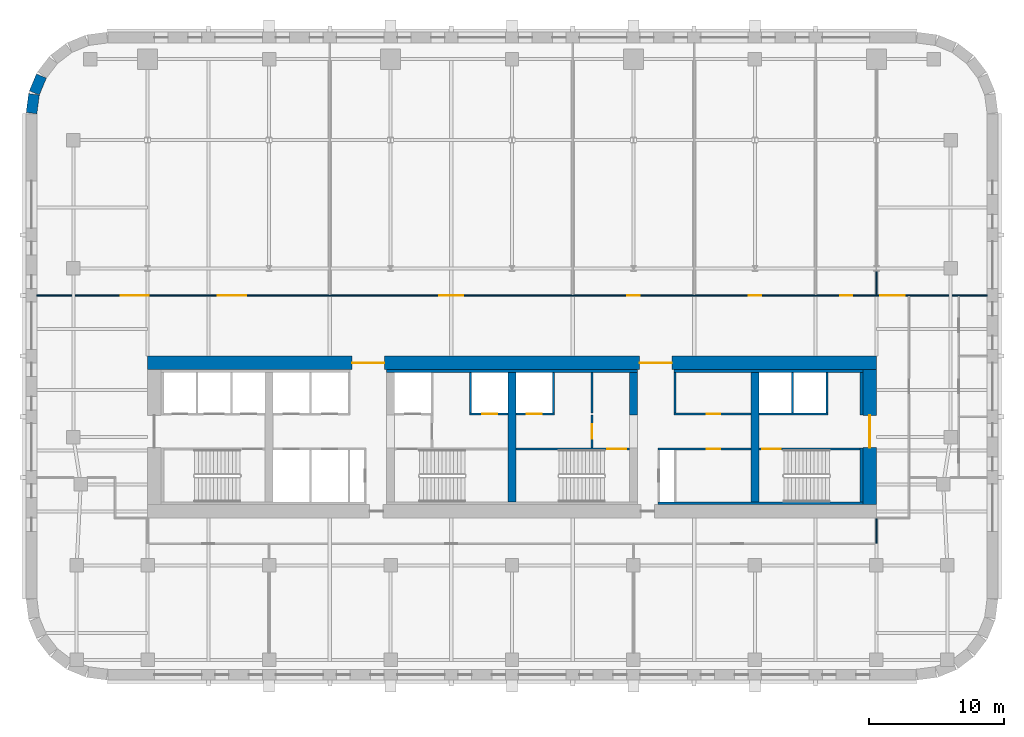
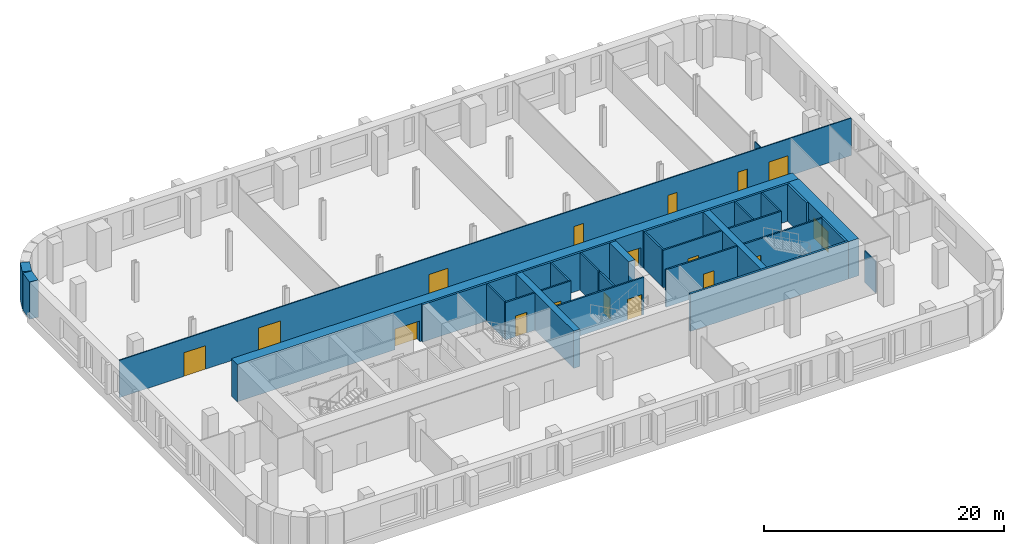
# One storey, part 5 of 9: 29 walls, 17 doors, 17 openings.
"""IFC4 building model written with IfcOpenShell, lengths in metres."""

from ifc_helpers import new_model, si_unit, direction, frame, frame_2d, origin, place, context, subcontext, project, spatial, rectangle, extrude, material, layer, layer_set, type_object, element, fill, save


model = new_model("IFC4")

# Units and contexts
model_context = context("Model", 3, precision=1e-05, world=origin(), true_north=direction((0.0, 1.0)))
body_context = subcontext(model_context, "Body", "Model", "MODEL_VIEW")
ifc_project = project(units=[si_unit("LENGTHUNIT", "METRE"), si_unit("AREAUNIT", "SQUARE_METRE"), si_unit("VOLUMEUNIT", "CUBIC_METRE"), si_unit("PLANEANGLEUNIT", "RADIAN"), si_unit("MASSUNIT", "GRAM", prefix="KILO")], contexts=[model_context])

# Site, building, storey
site_placement = place(None, origin())
site = spatial("IfcSite", under=ifc_project, at=site_placement, CompositionType="ELEMENT")
building_placement = place(site_placement, origin())
building = spatial("IfcBuilding", under=site, at=building_placement, Name="Zellij Exchange Tower", CompositionType="ELEMENT")
storey_placement = place(building_placement, frame((0.0, 0.0, 148.5)))
storey = spatial("IfcBuildingStorey", under=building, at=storey_placement, Name="L33", CompositionType="ELEMENT", Elevation=148.5)

# Walls
ifc_material_1 = material(Name="Concrete C70/85", Category="concrete")
ifc_layer_1 = layer(ifc_material_1, 0.60009765625)
ifc_layer_set_1 = layer_set([ifc_layer_1], Name="Concrete C70/85")
wall_type_1 = type_object("IfcWallType", Name="CORE-CW 600 C70/85", PredefinedType="SHEAR", material=ifc_layer_set_1)
wall_1_placement = place(storey_placement, frame((0.0, -12.800048828125, 0.0), z_axis=(0.0, 0.0, 1.0), x_axis=(0.0, 1.0, 0.0)))
element("IfcWall", 1, at=wall_1_placement, inside=storey, type_object=wall_type_1, Name="Core cross wall x 0 L33", PredefinedType="SHEAR", context=body_context, shape_type="SweptSolid", body=[
    extrude(rectangle(XDim=9.60009765625, YDim=0.60009765625, at=frame_2d((4.800048828125, 0.0))), origin(), (0.0, 0.0, 1.0), 3.800048828125),
])
wall_2_placement = place(storey_placement, frame((9.0, -6.375, 0.0), z_axis=(0.0, 0.0, 1.0), x_axis=(0.0, 1.0, 0.0)))
element("IfcWall", 2, at=wall_2_placement, inside=storey, type_object=wall_type_1, Name="Core cross wall pier x 9 b L33", PredefinedType="SHEAR", context=body_context, shape_type="SweptSolid", body=[
    extrude(rectangle(XDim=3.175048828125, YDim=0.60009765625, at=frame_2d((1.58740234375, 0.0))), origin(), (0.0, 0.0, 1.0), 3.800048828125),
])
wall_3_placement = place(storey_placement, frame((18.0, -12.800048828125, 0.0), z_axis=(0.0, 0.0, 1.0), x_axis=(0.0, 1.0, 0.0)))
element("IfcWall", 3, at=wall_3_placement, inside=storey, type_object=wall_type_1, Name="Core cross wall x 18 L33", PredefinedType="SHEAR", context=body_context, shape_type="SweptSolid", body=[
    extrude(rectangle(XDim=9.60009765625, YDim=0.60009765625, at=frame_2d((4.800048828125, 0.0))), origin(), (0.0, 0.0, 1.0), 3.800048828125),
])
ifc_material_2 = material(Name="Concrete C30/37", Category="concrete")
ifc_layer_2 = layer(ifc_material_2, 0.199951171875)
ifc_layer_set_2 = layer_set([ifc_layer_2], Name="Concrete C30/37")
wall_type_2 = type_object("IfcWallType", Name="CORE-LW 200 C30/37", PredefinedType="SHEAR", material=ifc_layer_set_2)
wall_4_placement = place(storey_placement, frame((-9.300048828125, -3.10009765625, 0.0), z_axis=(0.0, 0.0, 1.0), x_axis=(1.0, 0.0, 0.0)))
element("IfcWall", 4, at=wall_4_placement, inside=storey, type_object=wall_type_2, Name="Core wall lining front.1 L33", PredefinedType="SHEAR", context=body_context, shape_type="SweptSolid", body=[
    extrude(rectangle(XDim=18.60009765625, YDim=0.199951171875, at=frame_2d((9.300048828125, 0.0))), origin(), (0.0, 0.0, 1.0), 3.800048828125),
])
wall_5_placement = place(storey_placement, frame((12.0, -3.10009765625, 0.0), z_axis=(0.0, 0.0, 1.0), x_axis=(1.0, 0.0, 0.0)))
element("IfcWall", 5, at=wall_5_placement, inside=storey, type_object=wall_type_2, Name="Core wall lining front.2 L33", PredefinedType="SHEAR", context=body_context, shape_type="SweptSolid", body=[
    extrude(rectangle(XDim=14.0, YDim=0.199951171875, at=frame_2d((7.0, 0.0))), origin(), (0.0, 0.0, 1.0), 3.800048828125),
])
wall_6_placement = place(storey_placement, frame((10.800048828125, -12.89990234375, 0.0), z_axis=(0.0, 0.0, 1.0), x_axis=(1.0, 0.0, 0.0)))
element("IfcWall", 6, at=wall_6_placement, inside=storey, type_object=wall_type_2, Name="Core wall lining rear.2 L33", PredefinedType="SHEAR", context=body_context, shape_type="SweptSolid", body=[
    extrude(rectangle(XDim=15.199951171875, YDim=0.199951171875, at=frame_2d((7.60009765625, 0.0))), origin(), (0.0, 0.0, 1.0), 3.800048828125),
])
wall_7_placement = place(storey_placement, frame((25.89990234375, -12.800048828125, 0.0), z_axis=(0.0, 0.0, 1.0), x_axis=(0.0, 1.0, 0.0)))
element("IfcWall", 7, at=wall_7_placement, inside=storey, type_object=wall_type_2, Name="Core wall lining end e.0 L33", PredefinedType="SHEAR", context=body_context, shape_type="SweptSolid", body=[
    extrude(rectangle(XDim=4.0, YDim=0.199951171875, at=frame_2d((2.0, 0.0))), origin(), (0.0, 0.0, 1.0), 3.800048828125),
])
wall_8_placement = place(storey_placement, frame((25.89990234375, -6.375, 0.0), z_axis=(0.0, 0.0, 1.0), x_axis=(0.0, 1.0, 0.0)))
element("IfcWall", 8, at=wall_8_placement, inside=storey, type_object=wall_type_2, Name="Core wall lining end e.1 L33", PredefinedType="SHEAR", context=body_context, shape_type="SweptSolid", body=[
    extrude(rectangle(XDim=3.175048828125, YDim=0.199951171875, at=frame_2d((1.58740234375, 0.0))), origin(), (0.0, 0.0, 1.0), 3.800048828125),
])

# Wall, opening, door
ifc_material_3 = material(Name="Gypsum shaft wall system")
ifc_layer_3 = layer(ifc_material_3, 0.14990234375)
ifc_layer_set_3 = layer_set([ifc_layer_3], Name="Gypsum shaft wall system")
wall_type_3 = type_object("IfcWallType", Name="CORE-PW 150 Firefighting lobby wall", PredefinedType="PARTITIONING", material=ifc_layer_set_3)
wall_9_placement = place(storey_placement, frame((5.925048828125, -8.800048828125, 0.0), z_axis=(0.0, 0.0, 1.0), x_axis=(0.0, 1.0, 0.0)))
wall_9 = element("IfcWall", 9, at=wall_9_placement, inside=storey, type_object=wall_type_3, Name="Firefighting lobby wall L33", PredefinedType="PARTITIONING", context=body_context, shape_type="SweptSolid", body=[
    extrude(rectangle(XDim=2.425048828125, YDim=0.14990234375, at=frame_2d((1.21240234375, 0.0))), origin(), (0.0, 0.0, 1.0), 3.800048828125),
])
opening_1_placement = place(wall_9_placement, frame((0.662109375, 0.0, 0.0)))
opening_1 = element("IfcOpeningElement", 10, at=opening_1_placement, cuts=wall_9, Name="Opening CA-17.18", PredefinedType="OPENING", context=body_context, shape_type="SweptSolid", body=[
    extrude(rectangle(XDim=1.10009765625, YDim=2.10009765625, at=frame_2d((0.550048828125, 1.050048828125))), frame((0.0, 0.0869140625, 0.0), z_axis=(0.0, -1.0, 0.0), x_axis=(1.0, 0.0, 0.0)), (0.0, 0.0, 1.0), 0.173828125),
])
ifc_material_4 = material(Name="Hollow metal fire door")
door_type_1 = type_object("IfcDoorType", Name="CORE-D F Firefighting lobby door 1100x2100 1 HR", OperationType="NOTDEFINED", PredefinedType="DOOR", material=ifc_material_4)
door_1_placement = place(opening_1_placement, origin())
door_1 = element("IfcDoor", 11, at=door_1_placement, inside=storey, type_object=door_type_1, Name="Firefighting lobby door CA-17.18", OperationType="SINGLE_SWING_RIGHT", OverallHeight=2.10009765625, OverallWidth=1.10009765625, PredefinedType="DOOR", context=body_context, shape_type="SweptSolid", body=[
    extrude(rectangle(XDim=1.10009765625, YDim=2.10009765625, at=frame_2d((0.550048828125, 1.050048828125))), frame((0.0, 0.02490234375, 0.0), z_axis=(0.0, -1.0, 0.0), x_axis=(1.0, 0.0, 0.0)), (0.0, 0.0, 1.0), 0.050048828125),
])
fill(opening_1, door_1)

# Walls
ifc_material_5 = material(Name="Gypsum board partition")
ifc_layer_4 = layer(ifc_material_5, 0.14990234375)
ifc_layer_set_4 = layer_set([ifc_layer_4], Name="Gypsum board partition")
wall_type_4 = type_object("IfcWallType", Name="CORE-PW 150 Lift lobby wall", PredefinedType="PARTITIONING", material=ifc_layer_set_4)
for number, where, z_axis, x_axis, name in (
    (12, (5.925048828125, -6.22509765625, 0.0), (0.0, 0.0, 1.0), (0.0, 1.0, 0.0), "Lift lobby wall L33"),
    (13, (12.074951171875, -6.22509765625, 0.0), (0.0, 0.0, 1.0), (0.0, 1.0, 0.0), "Lift lobby wall L33"),
):
    element("IfcWall", number, at=place(storey_placement, frame(where, z_axis=z_axis, x_axis=x_axis)), inside=storey, type_object=wall_type_4, Name=name, PredefinedType="PARTITIONING", context=body_context, shape_type="SweptSolid", body=[
        extrude(rectangle(XDim=3.025146484375, YDim=0.14990234375, at=frame_2d((1.5126953125, 0.0))), origin(), (0.0, 0.0, 1.0), 3.800048828125),
    ])

# Wall, opening, door
wall_10_placement = place(storey_placement, frame((12.0, -6.300048828125, 0.0), z_axis=(0.0, 0.0, 1.0), x_axis=(1.0, 0.0, 0.0)))
wall_10 = element("IfcWall", 14, at=wall_10_placement, inside=storey, type_object=wall_type_4, Name="Lift lobby wall L33", PredefinedType="PARTITIONING", context=body_context, shape_type="SweptSolid", body=[
    extrude(rectangle(XDim=5.699951171875, YDim=0.14990234375, at=frame_2d((2.85009765625, 0.0))), origin(), (0.0, 0.0, 1.0), 3.800048828125),
])
opening_2_placement = place(wall_10_placement, frame((2.425048828125, 0.0, 0.0)))
opening_2 = element("IfcOpeningElement", 15, at=opening_2_placement, cuts=wall_10, Name="Opening CA-17.24", PredefinedType="OPENING", context=body_context, shape_type="SweptSolid", body=[
    extrude(rectangle(XDim=1.0, YDim=2.10009765625, at=frame_2d((0.5, 1.050048828125))), frame((0.0, 0.0869140625, 0.0), z_axis=(0.0, -1.0, 0.0), x_axis=(1.0, 0.0, 0.0)), (0.0, 0.0, 1.0), 0.173828125),
])
door_type_2 = type_object("IfcDoorType", Name="CORE-D CD Core room door 1000x2100 1 HR", OperationType="NOTDEFINED", PredefinedType="DOOR", material=ifc_material_4)
door_2_placement = place(opening_2_placement, origin())
door_2 = element("IfcDoor", 16, at=door_2_placement, inside=storey, type_object=door_type_2, Name="Core room door CA-17.24", OperationType="SINGLE_SWING_RIGHT", OverallHeight=2.10009765625, OverallWidth=1.0, PredefinedType="DOOR", context=body_context, shape_type="SweptSolid", body=[
    extrude(rectangle(XDim=1.0, YDim=2.10009765625, at=frame_2d((0.5, 1.050048828125))), frame((0.0, 0.02490234375, 0.0), z_axis=(0.0, -1.0, 0.0), x_axis=(1.0, 0.0, 0.0)), (0.0, 0.0, 1.0), 0.050048828125),
])
fill(opening_2, door_2)

wall_11_placement = place(storey_placement, frame((10.800048828125, -8.875, 0.0), z_axis=(0.0, 0.0, 1.0), x_axis=(1.0, 0.0, 0.0)))
wall_11 = element("IfcWall", 17, at=wall_11_placement, inside=storey, type_object=wall_type_4, Name="Lift lobby wall L33", PredefinedType="PARTITIONING", context=body_context, shape_type="SweptSolid", body=[
    extrude(rectangle(XDim=6.89990234375, YDim=0.14990234375, at=frame_2d((3.449951171875, 0.0))), origin(), (0.0, 0.0, 1.0), 3.800048828125),
])
opening_3_placement = place(wall_11_placement, frame((3.625, 0.0, 0.0)))
opening_3 = element("IfcOpeningElement", 18, at=opening_3_placement, cuts=wall_11, Name="Opening CA-17.23", PredefinedType="OPENING", context=body_context, shape_type="SweptSolid", body=[
    extrude(rectangle(XDim=1.0, YDim=2.10009765625, at=frame_2d((0.5, 1.050048828125))), frame((0.0, 0.0869140625, 0.0), z_axis=(0.0, -1.0, 0.0), x_axis=(1.0, 0.0, 0.0)), (0.0, 0.0, 1.0), 0.173828125),
])
door_3_placement = place(opening_3_placement, origin())
door_3 = element("IfcDoor", 19, at=door_3_placement, inside=storey, type_object=door_type_2, Name="Core room door CA-17.23", OperationType="SINGLE_SWING_LEFT", OverallHeight=2.10009765625, OverallWidth=1.0, PredefinedType="DOOR", context=body_context, shape_type="SweptSolid", body=[
    extrude(rectangle(XDim=1.0, YDim=2.10009765625, at=frame_2d((0.5, 1.050048828125))), frame((0.0, 0.02490234375, 0.0), z_axis=(0.0, -1.0, 0.0), x_axis=(1.0, 0.0, 0.0)), (0.0, 0.0, 1.0), 0.050048828125),
])
fill(opening_3, door_3)

# Walls
ifc_layer_5 = layer(ifc_material_3, 0.14990234375)
ifc_layer_set_5 = layer_set([ifc_layer_5], Name="Gypsum shaft wall system")
wall_type_5 = type_object("IfcWallType", Name="CORE-PW 150 Lift shaft wall", PredefinedType="PARTITIONING", material=ifc_layer_set_5)
for number, where, z_axis, x_axis, name in (
    (20, (-3.074951171875, -6.22509765625, 0.0), (0.0, 0.0, 1.0), (0.0, 1.0, 0.0), "Lift shaft wall L33"),
    (21, (3.074951171875, -6.22509765625, 0.0), (0.0, 0.0, 1.0), (0.0, 1.0, 0.0), "Lift shaft wall L33"),
    (22, (20.77490234375, -6.22509765625, 0.0), (0.0, 0.0, 1.0), (0.0, 1.0, 0.0), "Lift shaft wall L33"),
    (23, (23.324951171875, -6.22509765625, 0.0), (0.0, 0.0, 1.0), (0.0, 1.0, 0.0), "Lift shaft wall L33"),
):
    element("IfcWall", number, at=place(storey_placement, frame(where, z_axis=z_axis, x_axis=x_axis)), inside=storey, type_object=wall_type_5, Name=name, PredefinedType="PARTITIONING", context=body_context, shape_type="SweptSolid", body=[
        extrude(rectangle(XDim=3.025146484375, YDim=0.14990234375, at=frame_2d((1.5126953125, 0.0))), origin(), (0.0, 0.0, 1.0), 3.800048828125),
    ])

# Wall, opening, door
wall_12_placement = place(storey_placement, frame((-3.14990234375, -6.300048828125, 0.0), z_axis=(0.0, 0.0, 1.0), x_axis=(1.0, 0.0, 0.0)))
wall_12 = element("IfcWall", 24, at=wall_12_placement, inside=storey, type_object=wall_type_5, Name="Lift shaft wall L33", PredefinedType="PARTITIONING", context=body_context, shape_type="SweptSolid", body=[
    extrude(rectangle(XDim=2.849853515625, YDim=0.14990234375, at=frame_2d((1.4248046875, 0.0))), origin(), (0.0, 0.0, 1.0), 3.800048828125),
])
opening_4_placement = place(wall_12_placement, frame((0.949951171875, 0.0, 0.0)))
opening_4 = element("IfcOpeningElement", 25, at=opening_4_placement, cuts=wall_12, Name="Opening CA-17.16", PredefinedType="OPENING", context=body_context, shape_type="SweptSolid", body=[
    extrude(rectangle(XDim=1.10009765625, YDim=2.10009765625, at=frame_2d((0.550048828125, 1.050048828125))), frame((0.0, 0.0869140625, 0.0), z_axis=(0.0, -1.0, 0.0), x_axis=(1.0, 0.0, 0.0)), (0.0, 0.0, 1.0), 0.173828125),
])
door_type_3 = type_object("IfcDoorType", Name="CORE-D LD Lift landing door 1100x2100 1.5 HR", OperationType="NOTDEFINED", PredefinedType="DOOR", material=ifc_material_4)
door_4_placement = place(opening_4_placement, origin())
door_4 = element("IfcDoor", 26, at=door_4_placement, inside=storey, type_object=door_type_3, Name="Lift landing door CA-17.16", OperationType="SLIDING_TO_RIGHT", OverallHeight=2.10009765625, OverallWidth=1.10009765625, PredefinedType="DOOR", context=body_context, shape_type="SweptSolid", body=[
    extrude(rectangle(XDim=1.10009765625, YDim=2.10009765625, at=frame_2d((0.550048828125, 1.050048828125))), frame((0.0, 0.02490234375, 0.0), z_axis=(0.0, -1.0, 0.0), x_axis=(1.0, 0.0, 0.0)), (0.0, 0.0, 1.0), 0.050048828125),
])
fill(opening_4, door_4)

wall_13_placement = place(storey_placement, frame((0.300048828125, -6.300048828125, 0.0), z_axis=(0.0, 0.0, 1.0), x_axis=(1.0, 0.0, 0.0)))
wall_13 = element("IfcWall", 27, at=wall_13_placement, inside=storey, type_object=wall_type_5, Name="Lift shaft wall L33", PredefinedType="PARTITIONING", context=body_context, shape_type="SweptSolid", body=[
    extrude(rectangle(XDim=2.849853515625, YDim=0.14990234375, at=frame_2d((1.4248046875, 0.0))), origin(), (0.0, 0.0, 1.0), 3.800048828125),
])
opening_5_placement = place(wall_13_placement, frame((0.800048828125, 0.0, 0.0)))
opening_5 = element("IfcOpeningElement", 28, at=opening_5_placement, cuts=wall_13, Name="Opening CA-17.17", PredefinedType="OPENING", context=body_context, shape_type="SweptSolid", body=[
    extrude(rectangle(XDim=1.10009765625, YDim=2.10009765625, at=frame_2d((0.550048828125, 1.050048828125))), frame((0.0, 0.0869140625, 0.0), z_axis=(0.0, -1.0, 0.0), x_axis=(1.0, 0.0, 0.0)), (0.0, 0.0, 1.0), 0.173828125),
])
door_5_placement = place(opening_5_placement, origin())
door_5 = element("IfcDoor", 29, at=door_5_placement, inside=storey, type_object=door_type_3, Name="Lift landing door CA-17.17", OperationType="SLIDING_TO_LEFT", OverallHeight=2.10009765625, OverallWidth=1.10009765625, PredefinedType="DOOR", context=body_context, shape_type="SweptSolid", body=[
    extrude(rectangle(XDim=1.10009765625, YDim=2.10009765625, at=frame_2d((0.550048828125, 1.050048828125))), frame((0.0, 0.02490234375, 0.0), z_axis=(0.0, -1.0, 0.0), x_axis=(1.0, 0.0, 0.0)), (0.0, 0.0, 1.0), 0.050048828125),
])
fill(opening_5, door_5)

# Wall
wall_14_placement = place(storey_placement, frame((18.300048828125, -6.300048828125, 0.0), z_axis=(0.0, 0.0, 1.0), x_axis=(1.0, 0.0, 0.0)))
element("IfcWall", 30, at=wall_14_placement, inside=storey, type_object=wall_type_5, Name="Lift shaft wall L33", PredefinedType="PARTITIONING", context=body_context, shape_type="SweptSolid", body=[
    extrude(rectangle(XDim=5.099853515625, YDim=0.14990234375, at=frame_2d((2.5498046875, 0.0))), origin(), (0.0, 0.0, 1.0), 3.800048828125),
])

# Wall, openings, doors
ifc_layer_6 = layer(ifc_material_1, 1.0)
ifc_layer_set_6 = layer_set([ifc_layer_6], Name="Concrete C70/85")
wall_type_6 = type_object("IfcWallType", Name="CORE-SW 1000 C70/85", PredefinedType="SHEAR", material=ifc_layer_set_6)
wall_15_placement = place(storey_placement, frame((-27.0, -2.5, 0.0), z_axis=(0.0, 0.0, 1.0), x_axis=(1.0, 0.0, 0.0)))
wall_15 = element("IfcWall", 31, at=wall_15_placement, inside=storey, type_object=wall_type_6, Name="Core shear wall front L33", PredefinedType="SHEAR", context=body_context, shape_type="SweptSolid", body=[
    extrude(rectangle(XDim=54.0, YDim=1.0, at=frame_2d((27.0, 0.0))), origin(), (0.0, 0.0, 1.0), 3.800048828125),
])
opening_6_placement = place(wall_15_placement, frame((15.14990234375, 0.0, 0.0)))
opening_6 = element("IfcOpeningElement", 32, at=opening_6_placement, cuts=wall_15, Name="Opening CA-17.11", PredefinedType="OPENING", context=body_context, shape_type="SweptSolid", body=[
    extrude(rectangle(XDim=2.39990234375, YDim=2.10009765625, at=frame_2d((1.199951171875, 1.050048828125))), frame((0.0, 0.511962890625, 0.0), z_axis=(0.0, -1.0, 0.0), x_axis=(1.0, 0.0, 0.0)), (0.0, 0.0, 1.0), 1.02392578125),
])
opening_7_placement = place(wall_15_placement, frame((36.449951171875, 0.0, 0.0)))
opening_7 = element("IfcOpeningElement", 33, at=opening_7_placement, cuts=wall_15, Name="Opening CA-17.21", PredefinedType="OPENING", context=body_context, shape_type="SweptSolid", body=[
    extrude(rectangle(XDim=2.39990234375, YDim=2.10009765625, at=frame_2d((1.199951171875, 1.050048828125))), frame((0.0, 0.511962890625, 0.0), z_axis=(0.0, -1.0, 0.0), x_axis=(1.0, 0.0, 0.0)), (0.0, 0.0, 1.0), 1.02392578125),
])
door_type_4 = type_object("IfcDoorType", Name="CORE-D CE Core entrance door 2400x2100 20 MIN", OperationType="NOTDEFINED", PredefinedType="DOOR", material=ifc_material_4)
door_6_placement = place(opening_6_placement, origin())
door_6 = element("IfcDoor", 34, at=door_6_placement, inside=storey, type_object=door_type_4, Name="Core entrance door CA-17.11", OperationType="DOUBLE_DOOR_SINGLE_SWING", OverallHeight=2.10009765625, OverallWidth=2.39990234375, PredefinedType="DOOR", context=body_context, shape_type="SweptSolid", body=[
    extrude(rectangle(XDim=2.39990234375, YDim=2.10009765625, at=frame_2d((1.199951171875, 1.050048828125))), frame((0.0, 0.02490234375, 0.0), z_axis=(0.0, -1.0, 0.0), x_axis=(1.0, 0.0, 0.0)), (0.0, 0.0, 1.0), 0.050048828125),
])
fill(opening_6, door_6)
door_7_placement = place(opening_7_placement, origin())
door_7 = element("IfcDoor", 35, at=door_7_placement, inside=storey, type_object=door_type_4, Name="Core entrance door CA-17.21", OperationType="DOUBLE_DOOR_SINGLE_SWING", OverallHeight=2.10009765625, OverallWidth=2.39990234375, PredefinedType="DOOR", context=body_context, shape_type="SweptSolid", body=[
    extrude(rectangle(XDim=2.39990234375, YDim=2.10009765625, at=frame_2d((1.199951171875, 1.050048828125))), frame((0.0, 0.02490234375, 0.0), z_axis=(0.0, -1.0, 0.0), x_axis=(1.0, 0.0, 0.0)), (0.0, 0.0, 1.0), 0.050048828125),
])
fill(opening_7, door_7)

# Wall, opening, door
wall_16_placement = place(storey_placement, frame((26.5, -13.0, 0.0), z_axis=(0.0, 0.0, 1.0), x_axis=(0.0, 1.0, 0.0)))
wall_16 = element("IfcWall", 36, at=wall_16_placement, inside=storey, type_object=wall_type_6, Name="Core shear wall end e L33", PredefinedType="SHEAR", context=body_context, shape_type="SweptSolid", body=[
    extrude(rectangle(XDim=10.0, YDim=1.0, at=frame_2d((5.0, 0.0))), origin(), (0.0, 0.0, 1.0), 3.800048828125),
])
opening_8_placement = place(wall_16_placement, frame((4.2119140625, 0.0, 0.0)))
opening_8 = element("IfcOpeningElement", 37, at=opening_8_placement, cuts=wall_16, Name="Opening CA-17.26", PredefinedType="OPENING", context=body_context, shape_type="SweptSolid", body=[
    extrude(rectangle(XDim=2.39990234375, YDim=2.10009765625, at=frame_2d((1.199951171875, 1.050048828125))), frame((0.0, 0.511962890625, 0.0), z_axis=(0.0, -1.0, 0.0), x_axis=(1.0, 0.0, 0.0)), (0.0, 0.0, 1.0), 1.02392578125),
])
door_8_placement = place(opening_8_placement, origin())
door_8 = element("IfcDoor", 38, at=door_8_placement, inside=storey, type_object=door_type_4, Name="Core entrance door CA-17.26", OperationType="DOUBLE_DOOR_SINGLE_SWING", OverallHeight=2.10009765625, OverallWidth=2.39990234375, PredefinedType="DOOR", context=body_context, shape_type="SweptSolid", body=[
    extrude(rectangle(XDim=2.39990234375, YDim=2.10009765625, at=frame_2d((1.199951171875, 1.050048828125))), frame((0.0, 0.02490234375, 0.0), z_axis=(0.0, -1.0, 0.0), x_axis=(1.0, 0.0, 0.0)), (0.0, 0.0, 1.0), 0.050048828125),
])
fill(opening_8, door_8)

ifc_layer_7 = layer(ifc_material_1, 0.14990234375)
ifc_layer_set_7 = layer_set([ifc_layer_7], Name="Concrete C70/85")
wall_type_7 = type_object("IfcWallType", Name="CORE-SWS 150 C70/85", PredefinedType="SHEAR", material=ifc_layer_set_7)
wall_17_placement = place(storey_placement, frame((0.300048828125, -8.875, 0.0), z_axis=(0.0, 0.0, 1.0), x_axis=(1.0, 0.0, 0.0)))
wall_17 = element("IfcWall", 39, at=wall_17_placement, inside=storey, type_object=wall_type_7, Name="Stair enclosure wall L33", PredefinedType="SHEAR", context=body_context, shape_type="SweptSolid", body=[
    extrude(rectangle(XDim=8.39990234375, YDim=0.14990234375, at=frame_2d((4.199951171875, 0.0))), origin(), (0.0, 0.0, 1.0), 3.800048828125),
])
opening_9_placement = place(wall_17_placement, frame((6.77490234375, 0.0, 0.0)))
opening_9 = element("IfcOpeningElement", 40, at=opening_9_placement, cuts=wall_17, Name="Opening CA-17.19", PredefinedType="OPENING", context=body_context, shape_type="SweptSolid", body=[
    extrude(rectangle(XDim=1.39990234375, YDim=2.10009765625, at=frame_2d((0.699951171875, 1.050048828125))), frame((0.0, 0.0869140625, 0.0), z_axis=(0.0, -1.0, 0.0), x_axis=(1.0, 0.0, 0.0)), (0.0, 0.0, 1.0), 0.173828125),
])
door_type_5 = type_object("IfcDoorType", Name="CORE-D SD Stair door 1400x2100 1.5 HR", OperationType="NOTDEFINED", PredefinedType="DOOR", material=ifc_material_4)
door_9_placement = place(opening_9_placement, origin())
door_9 = element("IfcDoor", 41, at=door_9_placement, inside=storey, type_object=door_type_5, Name="Stair door CA-17.19", OperationType="DOUBLE_DOOR_SINGLE_SWING", OverallHeight=2.10009765625, OverallWidth=1.39990234375, PredefinedType="DOOR", context=body_context, shape_type="SweptSolid", body=[
    extrude(rectangle(XDim=1.39990234375, YDim=2.10009765625, at=frame_2d((0.699951171875, 1.050048828125))), frame((0.0, 0.02490234375, 0.0), z_axis=(0.0, -1.0, 0.0), x_axis=(1.0, 0.0, 0.0)), (0.0, 0.0, 1.0), 0.050048828125),
])
fill(opening_9, door_9)

wall_18_placement = place(storey_placement, frame((18.300048828125, -8.875, 0.0), z_axis=(0.0, 0.0, 1.0), x_axis=(1.0, 0.0, 0.0)))
wall_18 = element("IfcWall", 42, at=wall_18_placement, inside=storey, type_object=wall_type_7, Name="Stair enclosure wall L33", PredefinedType="SHEAR", context=body_context, shape_type="SweptSolid", body=[
    extrude(rectangle(XDim=7.5, YDim=0.14990234375, at=frame_2d((3.75, 0.0))), origin(), (0.0, 0.0, 1.0), 3.800048828125),
])
opening_10_placement = place(wall_18_placement, frame((0.22509765625, 0.0, 0.0)))
opening_10 = element("IfcOpeningElement", 43, at=opening_10_placement, cuts=wall_18, Name="Opening CA-17.25", PredefinedType="OPENING", context=body_context, shape_type="SweptSolid", body=[
    extrude(rectangle(XDim=1.39990234375, YDim=2.10009765625, at=frame_2d((0.699951171875, 1.050048828125))), frame((0.0, 0.0869140625, 0.0), z_axis=(0.0, -1.0, 0.0), x_axis=(1.0, 0.0, 0.0)), (0.0, 0.0, 1.0), 0.173828125),
])
door_10_placement = place(opening_10_placement, origin())
door_10 = element("IfcDoor", 44, at=door_10_placement, inside=storey, type_object=door_type_5, Name="Stair door CA-17.25", OperationType="DOUBLE_DOOR_SINGLE_SWING", OverallHeight=2.10009765625, OverallWidth=1.39990234375, PredefinedType="DOOR", context=body_context, shape_type="SweptSolid", body=[
    extrude(rectangle(XDim=1.39990234375, YDim=2.10009765625, at=frame_2d((0.699951171875, 1.050048828125))), frame((0.0, 0.02490234375, 0.0), z_axis=(0.0, -1.0, 0.0), x_axis=(1.0, 0.0, 0.0)), (0.0, 0.0, 1.0), 0.050048828125),
])
fill(opening_10, door_10)

# Walls
ifc_material_6 = material(Name="Precast concrete C40/50", Category="concrete")
ifc_layer_8 = layer(ifc_material_6, 0.800048828125)
ifc_layer_set_8 = layer_set([ifc_layer_8], Name="Precast concrete C40/50")
wall_type_8 = type_object("IfcWallType", Name="ENV-EW1 Precast stone-piered wall 800", PredefinedType="SOLIDWALL", material=ifc_layer_set_8)
wall_19_placement = place(storey_placement, frame((-34.866943359375, 18.74951171875, 0.0), z_axis=(0.0, 0.0, 1.0), x_axis=(-0.38276009378, -0.923847774587, 0.0)))
element("IfcWall", 45, at=wall_19_placement, inside=storey, type_object=wall_type_8, Name="fac.L33.19", PredefinedType="SOLIDWALL", context=body_context, shape_type="SweptSolid", body=[
    extrude(rectangle(XDim=1.35546875, YDim=0.800048828125, at=frame_2d((0.677734375, 0.0))), origin(), (0.0, 0.0, 1.0), 3.800048828125),
])
wall_20_placement = place(storey_placement, frame((-35.412841796875, 17.396240234375, 0.0), z_axis=(0.0, 0.0, 1.0), x_axis=(-0.130517283865, -0.99144603414, 0.0)))
element("IfcWall", 46, at=wall_20_placement, inside=storey, type_object=wall_type_8, Name="fac.L33.20", PredefinedType="SOLIDWALL", context=body_context, shape_type="SweptSolid", body=[
    extrude(rectangle(XDim=1.408447265625, YDim=0.800048828125, at=frame_2d((0.7041015625, 0.0))), origin(), (0.0, 0.0, 1.0), 3.800048828125),
])
ifc_material_7 = material(Name="Gypsum board partition on steel studs", Category="steel")
ifc_layer_9 = layer(ifc_material_7, 0.10009765625)
ifc_layer_set_9 = layer_set([ifc_layer_9], Name="Gypsum board partition on steel studs")
wall_type_9 = type_object("IfcWallType", Name="FIT-PARTITION-100", PredefinedType="PARTITIONING", material=ifc_layer_set_9)
wall_21_placement = place(storey_placement, frame((27.0, -15.85009765625, 0.0), z_axis=(0.0, 0.0, 1.0), x_axis=(0.0, 1.0, 0.0)))
element("IfcWall", 47, at=wall_21_placement, inside=storey, type_object=wall_type_9, Name="FIT-PARTITION-100 007", PredefinedType="PARTITIONING", context=body_context, shape_type="SweptSolid", body=[
    extrude(rectangle(XDim=1.800048828125, YDim=0.10009765625, at=frame_2d((0.89990234375, 0.0))), origin(), (0.0, 0.0, 1.0), 3.18798828125),
])

# Wall, openings, doors
wall_22_placement = place(storey_placement, frame((-35.199951171875, 2.489990234375, 0.0), z_axis=(0.0, 0.0, 1.0), x_axis=(1.0, 0.0, 0.0)))
wall_22 = element("IfcWall", 48, at=wall_22_placement, inside=storey, type_object=wall_type_9, Name="FIT-PARTITION-100 019", PredefinedType="PARTITIONING", context=body_context, shape_type="SweptSolid", body=[
    extrude(rectangle(XDim=70.39990234375, YDim=0.10009765625, at=frame_2d((35.199951171875, 0.0))), origin(), (0.0, 0.0, 1.0), 3.800048828125),
])
opening_11_placement = place(wall_22_placement, frame((6.199951171875, 0.0, 0.0)))
opening_11 = element("IfcOpeningElement", 49, at=opening_11_placement, cuts=wall_22, Name="Opening TH.08", PredefinedType="OPENING", context=body_context, shape_type="SweptSolid", body=[
    extrude(rectangle(XDim=2.10009765625, YDim=2.39990234375, at=frame_2d((1.050048828125, 1.199951171875))), frame((0.0, 0.06201171875, 0.0), z_axis=(0.0, -1.0, 0.0), x_axis=(1.0, 0.0, 0.0)), (0.0, 0.0, 1.0), 0.1240234375),
])
opening_12_placement = place(wall_22_placement, frame((13.39990234375, 0.0, 0.0)))
opening_12 = element("IfcOpeningElement", 50, at=opening_12_placement, cuts=wall_22, Name="Opening TH.09", PredefinedType="OPENING", context=body_context, shape_type="SweptSolid", body=[
    extrude(rectangle(XDim=2.10009765625, YDim=2.39990234375, at=frame_2d((1.050048828125, 1.199951171875))), frame((0.0, 0.06201171875, 0.0), z_axis=(0.0, -1.0, 0.0), x_axis=(1.0, 0.0, 0.0)), (0.0, 0.0, 1.0), 0.1240234375),
])
opening_13_placement = place(wall_22_placement, frame((29.800048828125, 0.0, 0.0)))
opening_13 = element("IfcOpeningElement", 51, at=opening_13_placement, cuts=wall_22, Name="Opening TH.10", PredefinedType="OPENING", context=body_context, shape_type="SweptSolid", body=[
    extrude(rectangle(XDim=1.800048828125, YDim=2.10009765625, at=frame_2d((0.89990234375, 1.050048828125))), frame((0.0, 0.06201171875, 0.0), z_axis=(0.0, -1.0, 0.0), x_axis=(1.0, 0.0, 0.0)), (0.0, 0.0, 1.0), 0.1240234375),
])
opening_14_placement = place(wall_22_placement, frame((43.75, 0.0, 0.0)))
opening_14 = element("IfcOpeningElement", 52, at=opening_14_placement, cuts=wall_22, Name="Opening TH.11", PredefinedType="OPENING", context=body_context, shape_type="SweptSolid", body=[
    extrude(rectangle(XDim=0.89990234375, YDim=2.10009765625, at=frame_2d((0.449951171875, 1.050048828125))), frame((0.0, 0.06201171875, 0.0), z_axis=(0.0, -1.0, 0.0), x_axis=(1.0, 0.0, 0.0)), (0.0, 0.0, 1.0), 0.1240234375),
])
opening_15_placement = place(wall_22_placement, frame((52.75, 0.0, 0.0)))
opening_15 = element("IfcOpeningElement", 53, at=opening_15_placement, cuts=wall_22, Name="Opening TH.12", PredefinedType="OPENING", context=body_context, shape_type="SweptSolid", body=[
    extrude(rectangle(XDim=0.89990234375, YDim=2.10009765625, at=frame_2d((0.449951171875, 1.050048828125))), frame((0.0, 0.06201171875, 0.0), z_axis=(0.0, -1.0, 0.0), x_axis=(1.0, 0.0, 0.0)), (0.0, 0.0, 1.0), 0.1240234375),
])
opening_16_placement = place(wall_22_placement, frame((59.5, 0.0, 0.0)))
opening_16 = element("IfcOpeningElement", 54, at=opening_16_placement, cuts=wall_22, Name="Opening TH.13", PredefinedType="OPENING", context=body_context, shape_type="SweptSolid", body=[
    extrude(rectangle(XDim=0.89990234375, YDim=2.10009765625, at=frame_2d((0.449951171875, 1.050048828125))), frame((0.0, 0.06201171875, 0.0), z_axis=(0.0, -1.0, 0.0), x_axis=(1.0, 0.0, 0.0)), (0.0, 0.0, 1.0), 0.1240234375),
])
opening_17_placement = place(wall_22_placement, frame((62.5, 0.0, 0.0)))
opening_17 = element("IfcOpeningElement", 55, at=opening_17_placement, cuts=wall_22, Name="Opening TH.14", PredefinedType="OPENING", context=body_context, shape_type="SweptSolid", body=[
    extrude(rectangle(XDim=1.800048828125, YDim=2.10009765625, at=frame_2d((0.89990234375, 1.050048828125))), frame((0.0, 0.06201171875, 0.0), z_axis=(0.0, -1.0, 0.0), x_axis=(1.0, 0.0, 0.0)), (0.0, 0.0, 1.0), 0.1240234375),
])
ifc_material_8 = material(Name="Timber door set", Category="wood")
door_type_6 = type_object("IfcDoorType", Name="FIT-D1-ROOM-900X2100", OperationType="SINGLE_SWING_LEFT", PredefinedType="DOOR", material=ifc_material_8)
door_11_placement = place(opening_14_placement, origin())
door_11 = element("IfcDoor", 56, at=door_11_placement, inside=storey, type_object=door_type_6, Name="Door TH.11", OperationType="SINGLE_SWING_RIGHT", OverallHeight=2.10009765625, OverallWidth=0.89990234375, PredefinedType="DOOR", context=body_context, shape_type="SweptSolid", body=[
    extrude(rectangle(XDim=0.89990234375, YDim=2.10009765625, at=frame_2d((0.449951171875, 1.050048828125))), frame((0.0, 0.02490234375, 0.0), z_axis=(0.0, -1.0, 0.0), x_axis=(1.0, 0.0, 0.0)), (0.0, 0.0, 1.0), 0.050048828125),
])
fill(opening_14, door_11)
door_12_placement = place(opening_15_placement, origin())
door_12 = element("IfcDoor", 57, at=door_12_placement, inside=storey, type_object=door_type_6, Name="Door TH.12", OperationType="SINGLE_SWING_RIGHT", OverallHeight=2.10009765625, OverallWidth=0.89990234375, PredefinedType="DOOR", context=body_context, shape_type="SweptSolid", body=[
    extrude(rectangle(XDim=0.89990234375, YDim=2.10009765625, at=frame_2d((0.449951171875, 1.050048828125))), frame((0.0, 0.02490234375, 0.0), z_axis=(0.0, -1.0, 0.0), x_axis=(1.0, 0.0, 0.0)), (0.0, 0.0, 1.0), 0.050048828125),
])
fill(opening_15, door_12)
door_13_placement = place(opening_16_placement, origin())
door_13 = element("IfcDoor", 58, at=door_13_placement, inside=storey, type_object=door_type_6, Name="Door TH.13", OperationType="SINGLE_SWING_RIGHT", OverallHeight=2.10009765625, OverallWidth=0.89990234375, PredefinedType="DOOR", context=body_context, shape_type="SweptSolid", body=[
    extrude(rectangle(XDim=0.89990234375, YDim=2.10009765625, at=frame_2d((0.449951171875, 1.050048828125))), frame((0.0, 0.02490234375, 0.0), z_axis=(0.0, -1.0, 0.0), x_axis=(1.0, 0.0, 0.0)), (0.0, 0.0, 1.0), 0.050048828125),
])
fill(opening_16, door_13)
door_type_7 = type_object("IfcDoorType", Name="FIT-D3-DOUBLE-1800X2100", OperationType="DOUBLE_DOOR_SINGLE_SWING", PredefinedType="DOOR", material=ifc_material_8)
door_14_placement = place(opening_13_placement, origin())
door_14 = element("IfcDoor", 59, at=door_14_placement, inside=storey, type_object=door_type_7, Name="Door TH.10", OperationType="DOUBLE_DOOR_SINGLE_SWING", OverallHeight=2.10009765625, OverallWidth=1.800048828125, PredefinedType="DOOR", context=body_context, shape_type="SweptSolid", body=[
    extrude(rectangle(XDim=1.800048828125, YDim=2.10009765625, at=frame_2d((0.89990234375, 1.050048828125))), frame((0.0, 0.02490234375, 0.0), z_axis=(0.0, -1.0, 0.0), x_axis=(1.0, 0.0, 0.0)), (0.0, 0.0, 1.0), 0.050048828125),
])
fill(opening_13, door_14)
door_15_placement = place(opening_17_placement, origin())
door_15 = element("IfcDoor", 60, at=door_15_placement, inside=storey, type_object=door_type_7, Name="Door TH.14", OperationType="DOUBLE_DOOR_SINGLE_SWING", OverallHeight=2.10009765625, OverallWidth=1.800048828125, PredefinedType="DOOR", context=body_context, shape_type="SweptSolid", body=[
    extrude(rectangle(XDim=1.800048828125, YDim=2.10009765625, at=frame_2d((0.89990234375, 1.050048828125))), frame((0.0, 0.02490234375, 0.0), z_axis=(0.0, -1.0, 0.0), x_axis=(1.0, 0.0, 0.0)), (0.0, 0.0, 1.0), 0.050048828125),
])
fill(opening_17, door_15)
door_type_8 = type_object("IfcDoorType", Name="FIT-D7-ASSEMBLY-2100X2400", OperationType="DOUBLE_DOOR_SINGLE_SWING", PredefinedType="DOOR", material=ifc_material_8)
door_16_placement = place(opening_11_placement, origin())
door_16 = element("IfcDoor", 61, at=door_16_placement, inside=storey, type_object=door_type_8, Name="Door TH.08", OperationType="DOUBLE_DOOR_SINGLE_SWING", OverallHeight=2.39990234375, OverallWidth=2.10009765625, PredefinedType="DOOR", context=body_context, shape_type="SweptSolid", body=[
    extrude(rectangle(XDim=2.10009765625, YDim=2.39990234375, at=frame_2d((1.050048828125, 1.199951171875))), frame((0.0, 0.02490234375, 0.0), z_axis=(0.0, -1.0, 0.0), x_axis=(1.0, 0.0, 0.0)), (0.0, 0.0, 1.0), 0.050048828125),
])
fill(opening_11, door_16)
door_17_placement = place(opening_12_placement, origin())
door_17 = element("IfcDoor", 62, at=door_17_placement, inside=storey, type_object=door_type_8, Name="Door TH.09", OperationType="DOUBLE_DOOR_SINGLE_SWING", OverallHeight=2.39990234375, OverallWidth=2.10009765625, PredefinedType="DOOR", context=body_context, shape_type="SweptSolid", body=[
    extrude(rectangle(XDim=2.10009765625, YDim=2.39990234375, at=frame_2d((1.050048828125, 1.199951171875))), frame((0.0, 0.02490234375, 0.0), z_axis=(0.0, -1.0, 0.0), x_axis=(1.0, 0.0, 0.0)), (0.0, 0.0, 1.0), 0.050048828125),
])
fill(opening_12, door_17)

# Wall
wall_23_placement = place(storey_placement, frame((27.0, 2.5400390625, 0.0), z_axis=(0.0, 0.0, 1.0), x_axis=(0.0, 1.0, 0.0)))
element("IfcWall", 63, at=wall_23_placement, inside=storey, type_object=wall_type_9, Name="FIT-PARTITION-100 028", PredefinedType="PARTITIONING", context=body_context, shape_type="SweptSolid", body=[
    extrude(rectangle(XDim=1.732666015625, YDim=0.10009765625, at=frame_2d((0.8662109375, 0.0))), origin(), (0.0, 0.0, 1.0), 3.18798828125),
])

save(model, "model.ifc")
